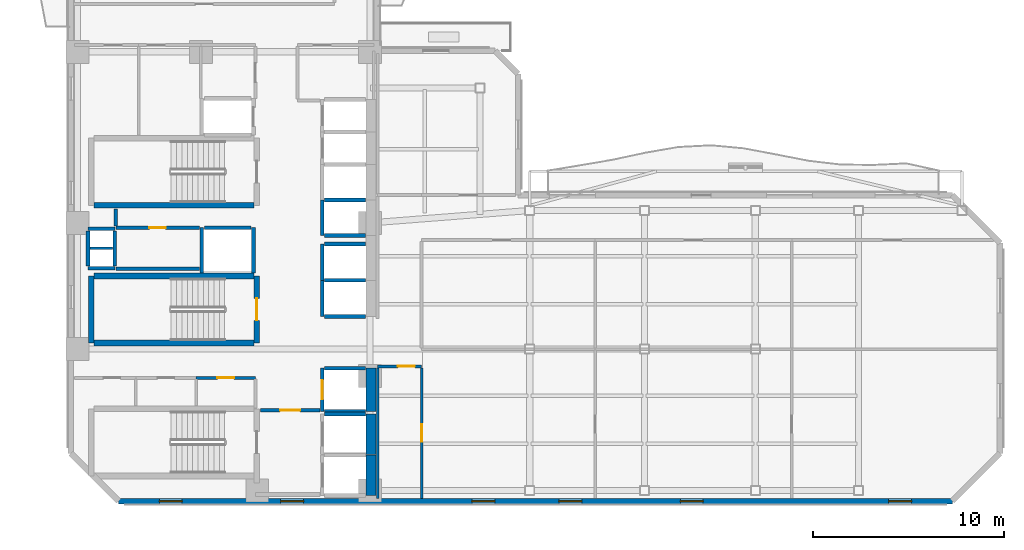
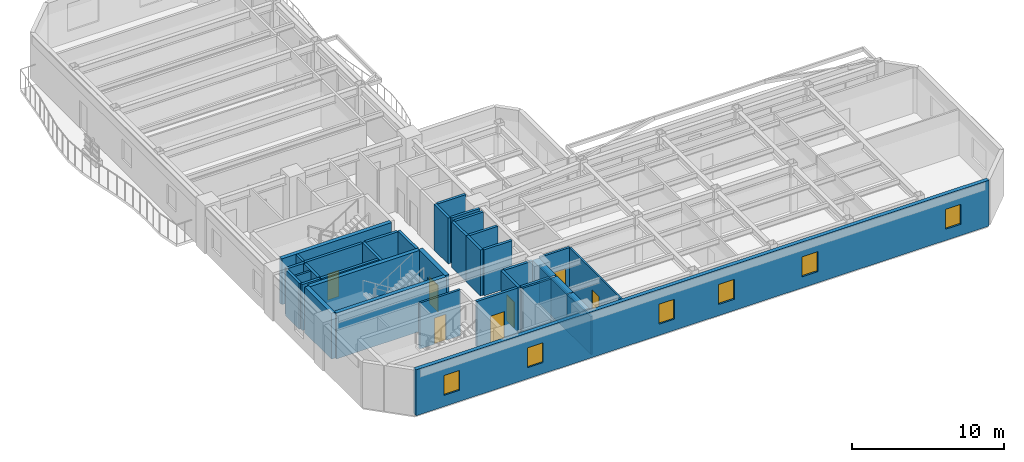
# One storey, part 3 of 12: 37 walls, 7 doors, 6 windows, 13 openings.
"""IFC4 building model written with IfcOpenShell, lengths in metres."""

import ifcopenshell
import ifcopenshell.guid

model = None  # the IFC model being written
_history = None  # IfcOwnerHistory: only IFC2X3 demands one
_inside = {}  # id of a spatial element -> (the spatial element, [elements in it])
_under = {}  # id of a project, library or spatial element -> (it, [spatial elements below it])
_declared = {}  # id of a project -> (the project, [libraries it declares])
_typed = {}  # id of a type object -> (the type object, [elements of that type])
_made_of = {}  # id of a material, layer set ... -> (it, [elements and type objects made of it])


def new_model(schema):
    """Start an empty IFC model of exactly this schema.

    Asked for "IFC4X3", IfcOpenShell would pick the latest addendum, in which some entities
    have other attributes; the version numbers below select the first issue.
    IFC2X3 requires an IfcOwnerHistory on every rooted entity: one is made here for all.
    """
    global model, _history
    if schema == "IFC4X3":
        model = ifcopenshell.file(schema_version=(4, 3, 0, 0))
    else:
        model = ifcopenshell.file(schema=schema)
    _inside.clear()
    _under.clear()
    _declared.clear()
    _typed.clear()
    _made_of.clear()
    _history = None
    if model.schema == "IFC2X3":
        org = make("IfcOrganization", Name="unknown")
        user = make(
            "IfcPersonAndOrganization",
            ThePerson=make("IfcPerson", FamilyName="unknown"),
            TheOrganization=org,
        )
        app = make(
            "IfcApplication",
            ApplicationDeveloper=org,
            Version="unknown",
            ApplicationFullName="unknown",
            ApplicationIdentifier="unknown",
        )
        _history = make(
            "IfcOwnerHistory",
            OwningUser=user,
            OwningApplication=app,
            ChangeAction="ADDED",
            CreationDate=0,
        )
    return model


def make(cls, **values):
    """One entity of the class cls with the attributes given. An attribute that is None is left unset."""
    return model.create_entity(
        cls, **{name: value for name, value in values.items() if value is not None}
    )


def rooted(cls, **values):
    """An entity with a GlobalId (a new one), such as an element, a storey or a relation."""
    return make(cls, GlobalId=ifcopenshell.guid.new(), OwnerHistory=_history, **values)


def si_unit(unit_type, name, prefix=None):
    """IfcSIUnit, for example si_unit("LENGTHUNIT", "METRE", prefix="MILLI")."""
    return make("IfcSIUnit", UnitType=unit_type, Prefix=prefix, Name=name)


def assignment(units):
    """IfcUnitAssignment: the units of a project."""
    return None if units is None else make("IfcUnitAssignment", Units=units)


def point(xyz):
    """IfcCartesianPoint."""
    return None if xyz is None else make("IfcCartesianPoint", Coordinates=xyz)


def direction(xyz):
    """IfcDirection."""
    return None if xyz is None else make("IfcDirection", DirectionRatios=xyz)


def frame(location, z_axis=None, x_axis=None):
    """IfcAxis2Placement3D, a coordinate frame: its origin and axes. An axis left out is left unset."""
    return make(
        "IfcAxis2Placement3D",
        Location=point(location),
        Axis=direction(z_axis),
        RefDirection=direction(x_axis),
    )


def frame_2d(location, x_axis=None):
    """IfcAxis2Placement2D, a coordinate frame in the plane: its origin and x axis."""
    return make(
        "IfcAxis2Placement2D", Location=point(location), RefDirection=direction(x_axis)
    )


def origin():
    """The frame at (0, 0, 0) with its axes left unset."""
    return frame((0.0, 0.0, 0.0))


def place(relative_to, where):
    """IfcLocalPlacement: puts the frame where relative to a parent placement (None: the world)."""
    return make(
        "IfcLocalPlacement", PlacementRelTo=relative_to, RelativePlacement=where
    )


def context(
    kind, dimensions, precision=None, world=None, true_north=None, identifier=None
):
    """IfcGeometricRepresentationContext, for example the 3D "Model" context."""
    return make(
        "IfcGeometricRepresentationContext",
        ContextIdentifier=identifier,
        ContextType=kind,
        CoordinateSpaceDimension=dimensions,
        Precision=precision,
        WorldCoordinateSystem=world,
        TrueNorth=true_north,
    )


def subcontext(parent, identifier, kind, view, scale=None):
    """IfcGeometricRepresentationSubContext, for example "Body" below "Model"."""
    return make(
        "IfcGeometricRepresentationSubContext",
        ContextIdentifier=identifier,
        ContextType=kind,
        ParentContext=parent,
        TargetScale=scale,
        TargetView=view,
    )


def project(units=None, contexts=None):
    """IfcProject with its units and contexts."""
    return rooted(
        "IfcProject",
        Name="project",
        RepresentationContexts=contexts,
        UnitsInContext=assignment(units),
    )


def spatial(cls, under=None, at=None, **own):
    """A site, building, storey or space (cls), placed at a placement, below another one or the project."""
    s = rooted(cls, ObjectPlacement=at, **own)
    if under is not None:
        _under.setdefault(under.id(), (under, []))[1].append(s)
    return s


def profile(cls, at=None, kind="AREA", **sizes):
    """A parametric profile (cls). Its sizes go by their IFC names, for example OverallWidth=200.0."""
    return make(cls, ProfileType=kind, Position=at, **sizes)


def rectangle(**sizes):
    """IfcRectangleProfileDef."""
    return profile("IfcRectangleProfileDef", **sizes)


def extrude(swept, where, along, depth):
    """IfcExtrudedAreaSolid: the profile swept, set in the frame where, extruded along a direction by depth."""
    return make(
        "IfcExtrudedAreaSolid",
        SweptArea=swept,
        Position=where,
        ExtrudedDirection=direction(along),
        Depth=depth,
    )


def shape(context_of_items, identifier, shape_type, items):
    """IfcShapeRepresentation: the items that make up one representation, for example the "Body"."""
    return make(
        "IfcShapeRepresentation",
        ContextOfItems=context_of_items,
        RepresentationIdentifier=identifier,
        RepresentationType=shape_type,
        Items=items,
    )


def material(Name=None, Category=None):
    """IfcMaterial."""
    return make("IfcMaterial", Name=Name, Category=Category)


def layer(
    of_material, thickness, ventilated=None, Name=None, Category=None, Priority=None
):
    """IfcMaterialLayer: one layer of a wall or slab, of a material (None: an air gap)."""
    return make(
        "IfcMaterialLayer",
        Material=of_material,
        LayerThickness=thickness,
        IsVentilated=ventilated,
        Name=Name,
        Category=Category,
        Priority=Priority,
    )


def layer_set(layers, Name=None):
    """IfcMaterialLayerSet."""
    return make("IfcMaterialLayerSet", MaterialLayers=layers, LayerSetName=Name)


def made_of(thing, what):
    """Note that an element or type object is made of a material, layer set ...; save() writes the relation."""
    if what is not None:
        _made_of.setdefault(what.id(), (what, []))[1].append(thing)
    return thing


def type_object(cls, material=None, **own):
    """A type object (cls), such as IfcWallType, which elements share."""
    return made_of(rooted(cls, **own), material)


def element(
    cls,
    number,
    at=None,
    inside=None,
    cuts=None,
    type_object=None,
    material=None,
    context=None,
    identifier="Body",
    shape_type=None,
    held_by="IfcProductDefinitionShape",
    body=None,
    shapes=None,
    **own,
):
    """One element of the class cls, such as IfcWall. Its Tag is "e" and its number.

    at: its placement. inside: the storey or other place that contains it. cuts: it is an
    opening in that element (IfcRelVoidsElement). A single representation is given by context,
    identifier, shape_type and body (its items); several are given by shapes. held_by: the class
    of the entity that holds the representations. save() writes the other relations.
    """
    e = rooted(cls, Tag="e%d" % number, ObjectPlacement=at, **own)
    if body is not None:
        shapes = [shape(context, identifier, shape_type, body)]
    if shapes is not None:
        e.Representation = make(held_by, Representations=shapes)
    if inside is not None:
        _inside.setdefault(inside.id(), (inside, []))[1].append(e)
    if cuts is not None:
        rooted(
            "IfcRelVoidsElement", RelatingBuildingElement=cuts, RelatedOpeningElement=e
        )
    if type_object is not None:
        _typed.setdefault(type_object.id(), (type_object, []))[1].append(e)
    return made_of(e, material)


def fill(opening, filler):
    """IfcRelFillsElement: the door or window that sits in an opening."""
    return rooted(
        "IfcRelFillsElement",
        RelatingOpeningElement=opening,
        RelatedBuildingElement=filler,
    )


def aggregate(whole, parts):
    """IfcRelAggregates: a whole, such as a stair, and the parts it consists of."""
    return rooted("IfcRelAggregates", RelatingObject=whole, RelatedObjects=parts)


def save(model, path):
    """Write the relations noted so far, then the file.

    IfcRelAggregates (storeys below a building ...), IfcRelContainedInSpatialStructure (elements
    in a storey), IfcRelDefinesByType, IfcRelAssociatesMaterial and IfcRelDeclares: one each for
    every whole, place, type object, material and project.
    """
    for whole, parts in _under.values():
        aggregate(whole, parts)
    for where, things in _inside.values():
        rooted(
            "IfcRelContainedInSpatialStructure",
            RelatedElements=things,
            RelatingStructure=where,
        )
    for kind, things in _typed.values():
        rooted("IfcRelDefinesByType", RelatedObjects=things, RelatingType=kind)
    for what, things in _made_of.values():
        rooted("IfcRelAssociatesMaterial", RelatedObjects=things, RelatingMaterial=what)
    for by, libraries in _declared.values():
        rooted("IfcRelDeclares", RelatingContext=by, RelatedDefinitions=libraries)
    model.write(path)


model = new_model("IFC4")

# Units and contexts
model_context = context("Model", 3, precision=1e-05, world=origin(), true_north=direction((0.0, 1.0)))
body_context = subcontext(model_context, "Body", "Model", "MODEL_VIEW")
ifc_project = project(units=[si_unit("LENGTHUNIT", "METRE"), si_unit("AREAUNIT", "SQUARE_METRE"), si_unit("VOLUMEUNIT", "CUBIC_METRE"), si_unit("PLANEANGLEUNIT", "RADIAN"), si_unit("MASSUNIT", "GRAM", prefix="KILO")], contexts=[model_context])

# Site, building, storey
site_placement = place(None, origin())
site = spatial("IfcSite", under=ifc_project, at=site_placement, CompositionType="ELEMENT")
building_placement = place(site_placement, origin())
building = spatial("IfcBuilding", under=site, at=building_placement, Name="Mawjaban Terraces University", CompositionType="ELEMENT")
storey_placement = place(building_placement, frame((0.0, 0.0, 150.199951171875)))
storey = spatial("IfcBuildingStorey", under=building, at=storey_placement, Name="L36", CompositionType="ELEMENT", Elevation=150.199951171875)

# Walls
ifc_material_1 = material(Name="Concrete C60/75", Category="concrete")
ifc_layer_1 = layer(ifc_material_1, 0.5)
ifc_layer_set_1 = layer_set([ifc_layer_1], Name="Concrete C60/75")
wall_type_1 = type_object("IfcWallType", Name="CoreShearWall_500", PredefinedType="SHEAR", material=ifc_layer_set_1)
wall_1_placement = place(storey_placement, frame((37.699951171875, 0.300048828125, 0.0), z_axis=(0.0, 0.0, 1.0), x_axis=(0.0, 1.0, 0.0)))
element("IfcWall", 1, at=wall_1_placement, inside=storey, type_object=wall_type_1, Name="L36 Lift FL-1 Hoistway Wall East", PredefinedType="SHEAR", context=body_context, shape_type="SweptSolid", body=[
    extrude(rectangle(XDim=2.099853515625, YDim=0.5, at=frame_2d((1.0498046875, 0.0))), origin(), (0.0, 0.0, 1.0), 3.68994140625),
])
wall_2_placement = place(storey_placement, frame((37.699951171875, 2.449951171875, 0.0), z_axis=(0.0, 0.0, 1.0), x_axis=(0.0, 1.0, 0.0)))
element("IfcWall", 2, at=wall_2_placement, inside=storey, type_object=wall_type_1, Name="L36 Lift FL-2 Hoistway Wall East", PredefinedType="SHEAR", context=body_context, shape_type="SweptSolid", body=[
    extrude(rectangle(XDim=2.10009765625, YDim=0.5, at=frame_2d((1.050048828125, 0.0))), origin(), (0.0, 0.0, 1.0), 3.68994140625),
])
wall_3_placement = place(storey_placement, frame((37.699951171875, 4.699951171875, 0.0), z_axis=(0.0, 0.0, 1.0), x_axis=(0.0, 1.0, 0.0)))
element("IfcWall", 3, at=wall_3_placement, inside=storey, type_object=wall_type_1, Name="L36 Lift SL-1 Hoistway Wall East", PredefinedType="SHEAR", context=body_context, shape_type="SweptSolid", body=[
    extrude(rectangle(XDim=2.25, YDim=0.5, at=frame_2d((1.125, 0.0))), origin(), (0.0, 0.0, 1.0), 3.68994140625),
])

# Wall, opening, door
ifc_material_2 = material(Name="Fire-rated gypsum board on steel stud", Category="steel")
ifc_layer_2 = layer(ifc_material_2, 0.159912109375)
ifc_layer_set_2 = layer_set([ifc_layer_2], Name="Fire-rated gypsum board on steel stud")
wall_type_2 = type_object("IfcWallType", Name="CorridorPartition_160", PredefinedType="PARTITIONING", material=ifc_layer_set_2)
wall_4_placement = place(storey_placement, frame((28.550048828125, 6.449951171875, 0.0), z_axis=(0.0, 0.0, 1.0), x_axis=(1.0, 0.0, 0.0)))
wall_4 = element("IfcWall", 4, at=wall_4_placement, inside=storey, type_object=wall_type_2, Name="L36 Core Washroom Lobby Partition 6", PredefinedType="PARTITIONING", context=body_context, shape_type="SweptSolid", body=[
    extrude(rectangle(XDim=3.099853515625, YDim=0.159912109375, at=frame_2d((1.5498046875, 0.0))), origin(), (0.0, 0.0, 1.0), 3.68994140625),
])
opening_1_placement = place(wall_4_placement, frame((1.110107421875, 0.0, 0.0)))
opening_1 = element("IfcOpeningElement", 5, at=opening_1_placement, cuts=wall_4, Name="Opening ID-088", PredefinedType="OPENING", context=body_context, shape_type="SweptSolid", body=[
    extrude(rectangle(XDim=0.8798828125, YDim=2.10009765625, at=frame_2d((0.43994140625, 1.050048828125))), frame((0.0, 0.08984375, 0.0), z_axis=(0.0, -1.0, 0.0), x_axis=(1.0, 0.0, 0.0)), (0.0, 0.0, 1.0), 0.179931640625),
])
ifc_material_3 = material(Name="Powder-coated steel frame and solid acoustic timber leaf", Category="steel")
door_type_1 = type_object("IfcDoorType", Name="ToiletDoor_880x2100", OperationType="NOTDEFINED", PredefinedType="DOOR", material=ifc_material_3)
door_1_placement = place(opening_1_placement, origin())
door_1 = element("IfcDoor", 6, at=door_1_placement, inside=storey, type_object=door_type_1, Name="L36 Accessible Toilet Door", OperationType="SINGLE_SWING_LEFT", OverallHeight=2.10009765625, OverallWidth=0.8798828125, PredefinedType="DOOR", context=body_context, shape_type="SweptSolid", body=[
    extrude(rectangle(XDim=0.8798828125, YDim=2.10009765625, at=frame_2d((0.43994140625, 1.050048828125))), frame((0.0, 0.02490234375, 0.0), z_axis=(0.0, -1.0, 0.0), x_axis=(1.0, 0.0, 0.0)), (0.0, 0.0, 1.0), 0.050048828125),
])
fill(opening_1, door_1)

wall_5_placement = place(storey_placement, frame((38.050048828125, 7.050048828125, 0.0), z_axis=(0.0, 0.0, 1.0), x_axis=(1.0, 0.0, 0.0)))
wall_5 = element("IfcWall", 7, at=wall_5_placement, inside=storey, type_object=wall_type_2, Name="L36 Inner Gallery Link Corridor Partition 17", PredefinedType="PARTITIONING", context=body_context, shape_type="SweptSolid", body=[
    extrude(rectangle(XDim=2.300048828125, YDim=0.159912109375, at=frame_2d((1.14990234375, 0.0))), origin(), (0.0, 0.0, 1.0), 3.68994140625),
])
opening_2_placement = place(wall_5_placement, frame((1.050048828125, 0.0, 0.0)))
opening_2 = element("IfcOpeningElement", 8, at=opening_2_placement, cuts=wall_5, Name="Opening ID-090", PredefinedType="OPENING", context=body_context, shape_type="SweptSolid", body=[
    extrude(rectangle(XDim=0.89990234375, YDim=2.10009765625, at=frame_2d((0.449951171875, 1.050048828125))), frame((0.0, 0.08984375, 0.0), z_axis=(0.0, -1.0, 0.0), x_axis=(1.0, 0.0, 0.0)), (0.0, 0.0, 1.0), 0.179931640625),
])
door_type_2 = type_object("IfcDoorType", Name="OfficeDoor_900x2100", OperationType="NOTDEFINED", PredefinedType="DOOR", material=ifc_material_3)
door_2_placement = place(opening_2_placement, origin())
door_2 = element("IfcDoor", 9, at=door_2_placement, inside=storey, type_object=door_type_2, Name="L36 Academic Counseling Room 1 Door", OperationType="SINGLE_SWING_LEFT", OverallHeight=2.10009765625, OverallWidth=0.89990234375, PredefinedType="DOOR", context=body_context, shape_type="SweptSolid", body=[
    extrude(rectangle(XDim=0.89990234375, YDim=2.10009765625, at=frame_2d((0.449951171875, 1.050048828125))), frame((0.0, 0.02490234375, 0.0), z_axis=(0.0, -1.0, 0.0), x_axis=(1.0, 0.0, 0.0)), (0.0, 0.0, 1.0), 0.050048828125),
])
fill(opening_2, door_2)

# Wall
wall_6_placement = place(storey_placement, frame((24.35009765625, 15.2900390625, 0.0), z_axis=(0.0, 0.0, 1.0), x_axis=(0.0, -1.0, 0.0)))
element("IfcWall", 10, at=wall_6_placement, inside=storey, type_object=wall_type_2, Name="L36 Core Riser Access Passage Partition 26", PredefinedType="PARTITIONING", context=body_context, shape_type="SweptSolid", body=[
    extrude(rectangle(XDim=0.89501953125, YDim=0.159912109375, at=frame_2d((0.447509765625, 0.0))), origin(), (0.0, 0.0, 1.0), 3.68994140625),
])

# Wall, openings, windows
ifc_material_4 = material(Name="Insulated terracotta rainscreen on concrete backup C40/50", Category="masonry")
ifc_layer_3 = layer(ifc_material_4, 0.300048828125)
ifc_layer_set_3 = layer_set([ifc_layer_3], Name="Insulated terracotta rainscreen on concrete backup C40/50")
wall_type_3 = type_object("IfcWallType", Name="ExtTerracottaWall_300", PredefinedType="SOLIDWALL", material=ifc_layer_set_3)
wall_7_placement = place(storey_placement, frame((24.5, 0.0, 0.0), z_axis=(0.0, 0.0, 1.0), x_axis=(1.0, 0.0, 0.0)))
wall_7 = element("IfcWall", 11, at=wall_7_placement, inside=storey, type_object=wall_type_3, Name="L36 Exterior Terracotta Wall 1", PredefinedType="SOLIDWALL", context=body_context, shape_type="SweptSolid", body=[
    extrude(rectangle(XDim=43.60009765625, YDim=0.300048828125, at=frame_2d((21.800048828125, 0.0))), origin(), (0.0, 0.0, 1.0), 3.68994140625),
])
opening_3_placement = place(wall_7_placement, frame((2.125, 0.0, 0.89990234375)))
opening_3 = element("IfcOpeningElement", 12, at=opening_3_placement, cuts=wall_7, Name="Opening W-01", PredefinedType="OPENING", context=body_context, shape_type="SweptSolid", body=[
    extrude(rectangle(XDim=1.199951171875, YDim=1.60009765625, at=frame_2d((0.60009765625, 0.800048828125))), frame((0.0, 0.159912109375, 0.0), z_axis=(0.0, -1.0, 0.0), x_axis=(1.0, 0.0, 0.0)), (0.0, 0.0, 1.0), 0.320068359375),
])
opening_4_placement = place(wall_7_placement, frame((8.47509765625, 0.0, 0.89990234375)))
opening_4 = element("IfcOpeningElement", 13, at=opening_4_placement, cuts=wall_7, Name="Opening W-01", PredefinedType="OPENING", context=body_context, shape_type="SweptSolid", body=[
    extrude(rectangle(XDim=1.199951171875, YDim=1.60009765625, at=frame_2d((0.60009765625, 0.800048828125))), frame((0.0, 0.159912109375, 0.0), z_axis=(0.0, -1.0, 0.0), x_axis=(1.0, 0.0, 0.0)), (0.0, 0.0, 1.0), 0.320068359375),
])
opening_5_placement = place(wall_7_placement, frame((18.47509765625, 0.0, 0.89990234375)))
opening_5 = element("IfcOpeningElement", 14, at=opening_5_placement, cuts=wall_7, Name="Opening W-01", PredefinedType="OPENING", context=body_context, shape_type="SweptSolid", body=[
    extrude(rectangle(XDim=1.199951171875, YDim=1.60009765625, at=frame_2d((0.60009765625, 0.800048828125))), frame((0.0, 0.159912109375, 0.0), z_axis=(0.0, -1.0, 0.0), x_axis=(1.0, 0.0, 0.0)), (0.0, 0.0, 1.0), 0.320068359375),
])
opening_6_placement = place(wall_7_placement, frame((23.02490234375, 0.0, 0.89990234375)))
opening_6 = element("IfcOpeningElement", 15, at=opening_6_placement, cuts=wall_7, Name="Opening W-01", PredefinedType="OPENING", context=body_context, shape_type="SweptSolid", body=[
    extrude(rectangle(XDim=1.199951171875, YDim=1.60009765625, at=frame_2d((0.60009765625, 0.800048828125))), frame((0.0, 0.159912109375, 0.0), z_axis=(0.0, -1.0, 0.0), x_axis=(1.0, 0.0, 0.0)), (0.0, 0.0, 1.0), 0.320068359375),
])
opening_7_placement = place(wall_7_placement, frame((29.375, 0.0, 0.89990234375)))
opening_7 = element("IfcOpeningElement", 16, at=opening_7_placement, cuts=wall_7, Name="Opening W-01", PredefinedType="OPENING", context=body_context, shape_type="SweptSolid", body=[
    extrude(rectangle(XDim=1.199951171875, YDim=1.60009765625, at=frame_2d((0.60009765625, 0.800048828125))), frame((0.0, 0.159912109375, 0.0), z_axis=(0.0, -1.0, 0.0), x_axis=(1.0, 0.0, 0.0)), (0.0, 0.0, 1.0), 0.320068359375),
])
opening_8_placement = place(wall_7_placement, frame((40.27490234375, 0.0, 0.89990234375)))
opening_8 = element("IfcOpeningElement", 17, at=opening_8_placement, cuts=wall_7, Name="Opening W-01", PredefinedType="OPENING", context=body_context, shape_type="SweptSolid", body=[
    extrude(rectangle(XDim=1.199951171875, YDim=1.60009765625, at=frame_2d((0.60009765625, 0.800048828125))), frame((0.0, 0.159912109375, 0.0), z_axis=(0.0, -1.0, 0.0), x_axis=(1.0, 0.0, 0.0)), (0.0, 0.0, 1.0), 0.320068359375),
])
ifc_material_5 = material(Name="Low-E solar-control double glazing in thermally broken aluminium frame", Category="aluminium")
window_type = type_object("IfcWindowType", Name="Win_1200x1600", PartitioningType="SINGLE_PANEL", PredefinedType="WINDOW", material=ifc_material_5)
window_1_placement = place(opening_3_placement, origin())
window_1 = element("IfcWindow", 18, at=window_1_placement, inside=storey, type_object=window_type, Name="L36 Facade Window 1.1", OverallHeight=1.60009765625, OverallWidth=1.199951171875, PartitioningType="SINGLE_PANEL", PredefinedType="WINDOW", context=body_context, shape_type="SweptSolid", body=[
    extrude(rectangle(XDim=1.199951171875, YDim=1.60009765625, at=frame_2d((0.60009765625, 0.800048828125))), frame((0.0, 0.030029296875, 0.0), z_axis=(0.0, -1.0, 0.0), x_axis=(1.0, 0.0, 0.0)), (0.0, 0.0, 1.0), 0.06005859375),
])
fill(opening_3, window_1)
window_2_placement = place(opening_4_placement, origin())
window_2 = element("IfcWindow", 19, at=window_2_placement, inside=storey, type_object=window_type, Name="L36 Facade Window 1.2", OverallHeight=1.60009765625, OverallWidth=1.199951171875, PartitioningType="SINGLE_PANEL", PredefinedType="WINDOW", context=body_context, shape_type="SweptSolid", body=[
    extrude(rectangle(XDim=1.199951171875, YDim=1.60009765625, at=frame_2d((0.60009765625, 0.800048828125))), frame((0.0, 0.030029296875, 0.0), z_axis=(0.0, -1.0, 0.0), x_axis=(1.0, 0.0, 0.0)), (0.0, 0.0, 1.0), 0.06005859375),
])
fill(opening_4, window_2)
window_3_placement = place(opening_5_placement, origin())
window_3 = element("IfcWindow", 20, at=window_3_placement, inside=storey, type_object=window_type, Name="L36 Facade Window 1.4", OverallHeight=1.60009765625, OverallWidth=1.199951171875, PartitioningType="SINGLE_PANEL", PredefinedType="WINDOW", context=body_context, shape_type="SweptSolid", body=[
    extrude(rectangle(XDim=1.199951171875, YDim=1.60009765625, at=frame_2d((0.60009765625, 0.800048828125))), frame((0.0, 0.030029296875, 0.0), z_axis=(0.0, -1.0, 0.0), x_axis=(1.0, 0.0, 0.0)), (0.0, 0.0, 1.0), 0.06005859375),
])
fill(opening_5, window_3)
window_4_placement = place(opening_6_placement, origin())
window_4 = element("IfcWindow", 21, at=window_4_placement, inside=storey, type_object=window_type, Name="L36 Facade Window 1.5", OverallHeight=1.60009765625, OverallWidth=1.199951171875, PartitioningType="SINGLE_PANEL", PredefinedType="WINDOW", context=body_context, shape_type="SweptSolid", body=[
    extrude(rectangle(XDim=1.199951171875, YDim=1.60009765625, at=frame_2d((0.60009765625, 0.800048828125))), frame((0.0, 0.030029296875, 0.0), z_axis=(0.0, -1.0, 0.0), x_axis=(1.0, 0.0, 0.0)), (0.0, 0.0, 1.0), 0.06005859375),
])
fill(opening_6, window_4)
window_5_placement = place(opening_7_placement, origin())
window_5 = element("IfcWindow", 22, at=window_5_placement, inside=storey, type_object=window_type, Name="L36 Facade Window 1.6", OverallHeight=1.60009765625, OverallWidth=1.199951171875, PartitioningType="SINGLE_PANEL", PredefinedType="WINDOW", context=body_context, shape_type="SweptSolid", body=[
    extrude(rectangle(XDim=1.199951171875, YDim=1.60009765625, at=frame_2d((0.60009765625, 0.800048828125))), frame((0.0, 0.030029296875, 0.0), z_axis=(0.0, -1.0, 0.0), x_axis=(1.0, 0.0, 0.0)), (0.0, 0.0, 1.0), 0.06005859375),
])
fill(opening_7, window_5)
window_6_placement = place(opening_8_placement, origin())
window_6 = element("IfcWindow", 23, at=window_6_placement, inside=storey, type_object=window_type, Name="L36 Facade Window 1.8", OverallHeight=1.60009765625, OverallWidth=1.199951171875, PartitioningType="SINGLE_PANEL", PredefinedType="WINDOW", context=body_context, shape_type="SweptSolid", body=[
    extrude(rectangle(XDim=1.199951171875, YDim=1.60009765625, at=frame_2d((0.60009765625, 0.800048828125))), frame((0.0, 0.030029296875, 0.0), z_axis=(0.0, -1.0, 0.0), x_axis=(1.0, 0.0, 0.0)), (0.0, 0.0, 1.0), 0.06005859375),
])
fill(opening_8, window_6)

# Wall
ifc_material_6 = material(Name="Concrete C40/50", Category="concrete")
ifc_layer_4 = layer(ifc_material_6, 0.199951171875)
ifc_layer_set_4 = layer_set([ifc_layer_4], Name="Concrete C40/50")
wall_type_4 = type_object("IfcWallType", Name="FireLobbyWall_200", PredefinedType="SOLIDWALL", material=ifc_layer_set_4)
wall_8_placement = place(storey_placement, frame((37.419921875, 4.550048828125, 0.0), z_axis=(0.0, 0.0, 1.0), x_axis=(-1.0, 0.0, 0.0)))
element("IfcWall", 24, at=wall_8_placement, inside=storey, type_object=wall_type_4, Name="L36 Lift FL-2 Hoistway Wall North", PredefinedType="SOLIDWALL", context=body_context, shape_type="SweptSolid", body=[
    extrude(rectangle(XDim=2.139892578125, YDim=0.199951171875, at=frame_2d((1.06982421875, 0.0))), origin(), (0.0, 0.0, 1.0), 3.68994140625),
])

# Wall, opening, door
wall_9_placement = place(storey_placement, frame((35.14990234375, 6.949951171875, 0.0), z_axis=(0.0, 0.0, 1.0), x_axis=(0.0, -1.0, 0.0)))
wall_9 = element("IfcWall", 25, at=wall_9_placement, inside=storey, type_object=wall_type_4, Name="L36 Lift SL-1 Hoistway Wall West", PredefinedType="SOLIDWALL", context=body_context, shape_type="SweptSolid", body=[
    extrude(rectangle(XDim=2.25, YDim=0.199951171875, at=frame_2d((1.125, 0.0))), origin(), (0.0, 0.0, 1.0), 3.68994140625),
])
opening_9_placement = place(wall_9_placement, frame((0.625, 0.0, 0.0)))
opening_9 = element("IfcOpeningElement", 26, at=opening_9_placement, cuts=wall_9, Name="Opening LD-SL-1", PredefinedType="OPENING", context=body_context, shape_type="SweptSolid", body=[
    extrude(rectangle(XDim=1.0, YDim=2.10009765625, at=frame_2d((0.5, 1.050048828125))), frame((0.0, 0.10986328125, 0.0), z_axis=(0.0, -1.0, 0.0), x_axis=(1.0, 0.0, 0.0)), (0.0, 0.0, 1.0), 0.219970703125),
])
ifc_material_7 = material(Name="Powder-coated steel frame and fire-rated steel-faced leaf", Category="steel")
door_type_3 = type_object("IfcDoorType", Name="LiftLandingSliding_1000x2100", OperationType="NOTDEFINED", PredefinedType="DOOR", material=ifc_material_7)
door_3_placement = place(opening_9_placement, origin())
door_3 = element("IfcDoor", 27, at=door_3_placement, inside=storey, type_object=door_type_3, Name="L36 Lift SL-1 Sliding Landing Door", OperationType="DOUBLE_DOOR_SLIDING", OverallHeight=2.10009765625, OverallWidth=1.0, PredefinedType="DOOR", context=body_context, shape_type="SweptSolid", body=[
    extrude(rectangle(XDim=1.0, YDim=2.10009765625, at=frame_2d((0.5, 1.050048828125))), frame((0.0, 0.02490234375, 0.0), z_axis=(0.0, -1.0, 0.0), x_axis=(1.0, 0.0, 0.0)), (0.0, 0.0, 1.0), 0.050048828125),
])
fill(opening_9, door_3)

# Walls
for number, where, z_axis, x_axis, name in (
    (28, (35.280029296875, 4.699951171875, 0.0), (0.0, 0.0, 1.0), (1.0, 0.0, 0.0), "L36 Lift SL-1 Hoistway Wall South"),
    (29, (37.419921875, 6.949951171875, 0.0), (0.0, 0.0, 1.0), (-1.0, 0.0, 0.0), "L36 Lift SL-1 Hoistway Wall North"),
):
    element("IfcWall", number, at=place(storey_placement, frame(where, z_axis=z_axis, x_axis=x_axis)), inside=storey, type_object=wall_type_4, Name=name, PredefinedType="SOLIDWALL", context=body_context, shape_type="SweptSolid", body=[
        extrude(rectangle(XDim=2.139892578125, YDim=0.199951171875, at=frame_2d((1.06982421875, 0.0))), origin(), (0.0, 0.0, 1.0), 3.68994140625),
    ])
wall_10_placement = place(storey_placement, frame((35.14990234375, 11.550048828125, 0.0), z_axis=(0.0, 0.0, 1.0), x_axis=(0.0, -1.0, 0.0)))
element("IfcWall", 30, at=wall_10_placement, inside=storey, type_object=wall_type_4, Name="L36 Lift PL-H1 Hoistway Wall West", PredefinedType="SOLIDWALL", context=body_context, shape_type="SweptSolid", body=[
    extrude(rectangle(XDim=1.900146484375, YDim=0.199951171875, at=frame_2d((0.9501953125, 0.0))), origin(), (0.0, 0.0, 1.0), 3.68994140625),
])
for number, where, z_axis, x_axis, name in (
    (31, (35.280029296875, 9.64990234375, 0.0), (0.0, 0.0, 1.0), (1.0, 0.0, 0.0), "L36 Lift PL-H1 Hoistway Wall South"),
    (32, (37.419921875, 11.550048828125, 0.0), (0.0, 0.0, 1.0), (-1.0, 0.0, 0.0), "L36 Lift PL-H1 Hoistway Wall North"),
):
    element("IfcWall", number, at=place(storey_placement, frame(where, z_axis=z_axis, x_axis=x_axis)), inside=storey, type_object=wall_type_4, Name=name, PredefinedType="SOLIDWALL", context=body_context, shape_type="SweptSolid", body=[
        extrude(rectangle(XDim=2.139892578125, YDim=0.199951171875, at=frame_2d((1.06982421875, 0.0))), origin(), (0.0, 0.0, 1.0), 3.68994140625),
    ])
wall_11_placement = place(storey_placement, frame((35.14990234375, 13.449951171875, 0.0), z_axis=(0.0, 0.0, 1.0), x_axis=(0.0, -1.0, 0.0)))
element("IfcWall", 33, at=wall_11_placement, inside=storey, type_object=wall_type_4, Name="L36 Lift PL-H2 Hoistway Wall West", PredefinedType="SOLIDWALL", context=body_context, shape_type="SweptSolid", body=[
    extrude(rectangle(XDim=1.89990234375, YDim=0.199951171875, at=frame_2d((0.949951171875, 0.0))), origin(), (0.0, 0.0, 1.0), 3.68994140625),
])
wall_12_placement = place(storey_placement, frame((37.419921875, 13.449951171875, 0.0), z_axis=(0.0, 0.0, 1.0), x_axis=(-1.0, 0.0, 0.0)))
element("IfcWall", 34, at=wall_12_placement, inside=storey, type_object=wall_type_4, Name="L36 Lift PL-H2 Hoistway Wall North", PredefinedType="SOLIDWALL", context=body_context, shape_type="SweptSolid", body=[
    extrude(rectangle(XDim=2.139892578125, YDim=0.199951171875, at=frame_2d((1.06982421875, 0.0))), origin(), (0.0, 0.0, 1.0), 3.68994140625),
])
for number, where, z_axis, x_axis, name in (
    (35, (28.85009765625, 14.300048828125, 0.0), (0.0, 0.0, 1.0), (0.0, -1.0, 0.0), "L36 Lift PL-H3 Hoistway Wall West"),
    (36, (31.550048828125, 11.929931640625, 0.0), (0.0, 0.0, 1.0), (0.0, 1.0, 0.0), "L36 Lift PL-H3 Hoistway Wall East"),
):
    element("IfcWall", number, at=place(storey_placement, frame(where, z_axis=z_axis, x_axis=x_axis)), inside=storey, type_object=wall_type_4, Name=name, PredefinedType="SOLIDWALL", context=body_context, shape_type="SweptSolid", body=[
        extrude(rectangle(XDim=2.3701171875, YDim=0.199951171875, at=frame_2d((1.18505859375, 0.0))), origin(), (0.0, 0.0, 1.0), 3.68994140625),
    ])
wall_13_placement = place(storey_placement, frame((31.419921875, 14.300048828125, 0.0), z_axis=(0.0, 0.0, 1.0), x_axis=(-1.0, 0.0, 0.0)))
element("IfcWall", 37, at=wall_13_placement, inside=storey, type_object=wall_type_4, Name="L36 Lift PL-H3 Hoistway Wall North", PredefinedType="SOLIDWALL", context=body_context, shape_type="SweptSolid", body=[
    extrude(rectangle(XDim=2.43994140625, YDim=0.199951171875, at=frame_2d((1.219970703125, 0.0))), origin(), (0.0, 0.0, 1.0), 3.68994140625),
])
wall_14_placement = place(storey_placement, frame((35.14990234375, 15.75, 0.0), z_axis=(0.0, 0.0, 1.0), x_axis=(0.0, -1.0, 0.0)))
element("IfcWall", 38, at=wall_14_placement, inside=storey, type_object=wall_type_4, Name="L36 Lift OL-1 Hoistway Wall West", PredefinedType="SOLIDWALL", context=body_context, shape_type="SweptSolid", body=[
    extrude(rectangle(XDim=1.85009765625, YDim=0.199951171875, at=frame_2d((0.925048828125, 0.0))), origin(), (0.0, 0.0, 1.0), 3.68994140625),
])
for number, where, z_axis, x_axis, name in (
    (39, (35.280029296875, 13.89990234375, 0.0), (0.0, 0.0, 1.0), (1.0, 0.0, 0.0), "L36 Lift OL-1 Hoistway Wall South"),
    (40, (37.419921875, 15.75, 0.0), (0.0, 0.0, 1.0), (-1.0, 0.0, 0.0), "L36 Lift OL-1 Hoistway Wall North"),
):
    element("IfcWall", number, at=place(storey_placement, frame(where, z_axis=z_axis, x_axis=x_axis)), inside=storey, type_object=wall_type_4, Name=name, PredefinedType="SOLIDWALL", context=body_context, shape_type="SweptSolid", body=[
        extrude(rectangle(XDim=2.139892578125, YDim=0.199951171875, at=frame_2d((1.06982421875, 0.0))), origin(), (0.0, 0.0, 1.0), 3.68994140625),
    ])
for number, where, z_axis, x_axis, name in (
    (41, (22.89990234375, 14.25, 0.0), (0.0, 0.0, 1.0), (1.0, 0.0, 0.0), "L36 MEP Riser Shaft Wall N"),
    (42, (22.89990234375, 12.179931640625, 0.0), (0.0, 0.0, 1.0), (1.0, 0.0, 0.0), "L36 MEP Riser Shaft Wall S"),
):
    element("IfcWall", number, at=place(storey_placement, frame(where, z_axis=z_axis, x_axis=x_axis)), inside=storey, type_object=wall_type_4, Name=name, PredefinedType="SOLIDWALL", context=body_context, shape_type="SweptSolid", body=[
        extrude(rectangle(XDim=1.400146484375, YDim=0.199951171875, at=frame_2d((0.7001953125, 0.0))), origin(), (0.0, 0.0, 1.0), 3.68994140625),
    ])
for number, where, z_axis, x_axis, name in (
    (43, (24.300048828125, 12.300048828125, 0.0), (0.0, 0.0, 1.0), (0.0, 1.0, 0.0), "L36 MEP Riser Shaft Wall E"),
    (44, (22.89990234375, 12.300048828125, 0.0), (0.0, 0.0, 1.0), (0.0, 1.0, 0.0), "L36 MEP Riser Shaft Wall W"),
):
    element("IfcWall", number, at=place(storey_placement, frame(where, z_axis=z_axis, x_axis=x_axis)), inside=storey, type_object=wall_type_4, Name=name, PredefinedType="SOLIDWALL", context=body_context, shape_type="SweptSolid", body=[
        extrude(rectangle(XDim=1.829833984375, YDim=0.199951171875, at=frame_2d((0.9150390625, 0.0))), origin(), (0.0, 0.0, 1.0), 3.68994140625),
    ])
wall_15_placement = place(storey_placement, frame((24.35009765625, 12.14990234375, 0.0), z_axis=(0.0, 0.0, 1.0), x_axis=(1.0, 0.0, 0.0)))
element("IfcWall", 45, at=wall_15_placement, inside=storey, type_object=wall_type_4, Name="L36 IT and Telecoms Riser Room Partition 2", PredefinedType="SOLIDWALL", context=body_context, shape_type="SweptSolid", body=[
    extrude(rectangle(XDim=4.369873046875, YDim=0.199951171875, at=frame_2d((2.18505859375, 0.0))), origin(), (0.0, 0.0, 1.0), 3.68994140625),
])

# Wall, opening, door
wall_16_placement = place(storey_placement, frame((24.35009765625, 14.300048828125, 0.0), z_axis=(0.0, 0.0, 1.0), x_axis=(1.0, 0.0, 0.0)))
wall_16 = element("IfcWall", 46, at=wall_16_placement, inside=storey, type_object=wall_type_4, Name="L36 Core Riser Access Passage Partition 3", PredefinedType="SOLIDWALL", context=body_context, shape_type="SweptSolid", body=[
    extrude(rectangle(XDim=4.369873046875, YDim=0.199951171875, at=frame_2d((2.18505859375, 0.0))), origin(), (0.0, 0.0, 1.0), 3.68994140625),
])
opening_10_placement = place(wall_16_placement, frame((1.760009765625, 0.0, 0.0)))
opening_10 = element("IfcOpeningElement", 47, at=opening_10_placement, cuts=wall_16, Name="Opening FD-085", PredefinedType="OPENING", context=body_context, shape_type="SweptSolid", body=[
    extrude(rectangle(XDim=0.85009765625, YDim=2.10009765625, at=frame_2d((0.425048828125, 1.050048828125))), frame((0.0, 0.10986328125, 0.0), z_axis=(0.0, -1.0, 0.0), x_axis=(1.0, 0.0, 0.0)), (0.0, 0.0, 1.0), 0.219970703125),
])
door_type_4 = type_object("IfcDoorType", Name="FireRiserDoor_850x2100", OperationType="NOTDEFINED", PredefinedType="DOOR", material=ifc_material_7)
door_4_placement = place(opening_10_placement, origin())
door_4 = element("IfcDoor", 48, at=door_4_placement, inside=storey, type_object=door_type_4, Name="L36 IT and Telecoms Riser Room Door", OperationType="SINGLE_SWING_RIGHT", OverallHeight=2.10009765625, OverallWidth=0.85009765625, PredefinedType="DOOR", context=body_context, shape_type="SweptSolid", body=[
    extrude(rectangle(XDim=0.85009765625, YDim=2.10009765625, at=frame_2d((0.425048828125, 1.050048828125))), frame((0.0, 0.02490234375, 0.0), z_axis=(0.0, -1.0, 0.0), x_axis=(1.0, 0.0, 0.0)), (0.0, 0.0, 1.0), 0.050048828125),
])
fill(opening_10, door_4)

wall_17_placement = place(storey_placement, frame((35.02001953125, 4.75, 0.0), z_axis=(0.0, 0.0, 1.0), x_axis=(-1.0, 0.0, 0.0)))
wall_17 = element("IfcWall", 49, at=wall_17_placement, inside=storey, type_object=wall_type_4, Name="L36 Firefighting Lift Lobby Partition 10", PredefinedType="SOLIDWALL", context=body_context, shape_type="SweptSolid", body=[
    extrude(rectangle(XDim=3.110107421875, YDim=0.199951171875, at=frame_2d((1.55517578125, 0.0))), origin(), (0.0, 0.0, 1.0), 3.68994140625),
])
opening_11_placement = place(wall_17_placement, frame((1.030029296875, 0.0, 0.0)))
opening_11 = element("IfcOpeningElement", 50, at=opening_11_placement, cuts=wall_17, Name="Opening FD-105", PredefinedType="OPENING", context=body_context, shape_type="SweptSolid", body=[
    extrude(rectangle(XDim=1.050048828125, YDim=2.14990234375, at=frame_2d((0.52490234375, 1.074951171875))), frame((0.0, 0.10986328125, 0.0), z_axis=(0.0, -1.0, 0.0), x_axis=(1.0, 0.0, 0.0)), (0.0, 0.0, 1.0), 0.219970703125),
])
door_type_5 = type_object("IfcDoorType", Name="FireLobbyDoor_1050x2150", OperationType="NOTDEFINED", PredefinedType="DOOR", material=ifc_material_7)
door_5_placement = place(opening_11_placement, origin())
door_5 = element("IfcDoor", 51, at=door_5_placement, inside=storey, type_object=door_type_5, Name="L36 Firefighting Lift Lobby Door", OperationType="SINGLE_SWING_RIGHT", OverallHeight=2.14990234375, OverallWidth=1.050048828125, PredefinedType="DOOR", context=body_context, shape_type="SweptSolid", body=[
    extrude(rectangle(XDim=1.050048828125, YDim=2.14990234375, at=frame_2d((0.52490234375, 1.074951171875))), frame((0.0, 0.02490234375, 0.0), z_axis=(0.0, -1.0, 0.0), x_axis=(1.0, 0.0, 0.0)), (0.0, 0.0, 1.0), 0.050048828125),
])
fill(opening_11, door_5)

# Walls
ifc_material_8 = material(Name="Moisture-resistant gypsum board on steel stud", Category="steel")
ifc_layer_5 = layer(ifc_material_8, 0.14501953125)
ifc_layer_set_5 = layer_set([ifc_layer_5], Name="Moisture-resistant gypsum board on steel stud")
wall_type_5 = type_object("IfcWallType", Name="LabPartition_145", PredefinedType="PARTITIONING", material=ifc_layer_set_5)
wall_18_placement = place(storey_placement, frame((23.010009765625, 13.22509765625, 0.0), z_axis=(0.0, 0.0, 1.0), x_axis=(1.0, 0.0, 0.0)))
element("IfcWall", 52, at=wall_18_placement, inside=storey, type_object=wall_type_5, Name="L36 MEP Riser Shaft Wall M", PredefinedType="PARTITIONING", context=body_context, shape_type="SweptSolid", body=[
    extrude(rectangle(XDim=1.179931640625, YDim=0.14501953125, at=frame_2d((0.58984375, 0.0))), origin(), (0.0, 0.0, 1.0), 3.68994140625),
])
ifc_material_9 = material(Name="Gypsum plasterboard on steel stud", Category="steel")
ifc_layer_6 = layer(ifc_material_9, 0.125)
ifc_layer_set_6 = layer_set([ifc_layer_6], Name="Gypsum plasterboard on steel stud")
wall_type_6 = type_object("IfcWallType", Name="OfficePartition_125", PredefinedType="PARTITIONING", material=ifc_layer_set_6)
wall_19_placement = place(storey_placement, frame((38.050048828125, 6.97509765625, 0.0), z_axis=(0.0, 0.0, 1.0), x_axis=(0.0, -1.0, 0.0)))
element("IfcWall", 53, at=wall_19_placement, inside=storey, type_object=wall_type_6, Name="L36 Academic Counseling Room 1 Partition 39", PredefinedType="PARTITIONING", context=body_context, shape_type="SweptSolid", body=[
    extrude(rectangle(XDim=6.830078125, YDim=0.125, at=frame_2d((3.4150390625, 0.0))), origin(), (0.0, 0.0, 1.0), 3.073974609375),
])

# Wall, opening, door
wall_20_placement = place(storey_placement, frame((40.35009765625, 0.14501953125, 0.0), z_axis=(0.0, 0.0, 1.0), x_axis=(0.0, 1.0, 0.0)))
wall_20 = element("IfcWall", 54, at=wall_20_placement, inside=storey, type_object=wall_type_6, Name="L36 Academic Counseling Room 1 Partition 42", PredefinedType="PARTITIONING", context=body_context, shape_type="SweptSolid", body=[
    extrude(rectangle(XDim=6.830078125, YDim=0.125, at=frame_2d((3.4150390625, 0.0))), origin(), (0.0, 0.0, 1.0), 3.68994140625),
])
opening_12_placement = place(wall_20_placement, frame((2.965087890625, 0.0, 0.0)))
opening_12 = element("IfcOpeningElement", 55, at=opening_12_placement, cuts=wall_20, Name="Opening ID-090", PredefinedType="OPENING", context=body_context, shape_type="SweptSolid", body=[
    extrude(rectangle(XDim=0.89990234375, YDim=2.10009765625, at=frame_2d((0.449951171875, 1.050048828125))), frame((0.0, 0.072509765625, 0.0), z_axis=(0.0, -1.0, 0.0), x_axis=(1.0, 0.0, 0.0)), (0.0, 0.0, 1.0), 0.14501953125),
])
door_6_placement = place(opening_12_placement, origin())
door_6 = element("IfcDoor", 56, at=door_6_placement, inside=storey, type_object=door_type_2, Name="L36 Academic Counseling Room 2 Door", OperationType="SINGLE_SWING_RIGHT", OverallHeight=2.10009765625, OverallWidth=0.89990234375, PredefinedType="DOOR", context=body_context, shape_type="SweptSolid", body=[
    extrude(rectangle(XDim=0.89990234375, YDim=2.10009765625, at=frame_2d((0.449951171875, 1.050048828125))), frame((0.0, 0.02490234375, 0.0), z_axis=(0.0, -1.0, 0.0), x_axis=(1.0, 0.0, 0.0)), (0.0, 0.0, 1.0), 0.050048828125),
])
fill(opening_12, door_6)

# Walls
ifc_layer_7 = layer(ifc_material_1, 0.300048828125)
ifc_layer_set_7 = layer_set([ifc_layer_7], Name="Concrete C60/75")
wall_type_7 = type_object("IfcWallType", Name="StairShaftWall_300", PredefinedType="SHEAR", material=ifc_layer_set_7)
for number, where, z_axis, x_axis, name in (
    (57, (23.219970703125, 15.469970703125, 0.0), (0.0, 0.0, 1.0), (1.0, 0.0, 0.0), "L36 ST-2 Stair Shaft Wall 3"),
    (58, (31.580078125, 11.780029296875, 0.0), (0.0, 0.0, 1.0), (-1.0, 0.0, 0.0), "L36 ST-3 Stair Shaft Wall 1"),
):
    element("IfcWall", number, at=place(storey_placement, frame(where, z_axis=z_axis, x_axis=x_axis)), inside=storey, type_object=wall_type_7, Name=name, PredefinedType="SHEAR", context=body_context, shape_type="SweptSolid", body=[
        extrude(rectangle(XDim=8.360107421875, YDim=0.300048828125, at=frame_2d((4.18017578125, 0.0))), origin(), (0.0, 0.0, 1.0), 3.68994140625),
    ])
wall_21_placement = place(storey_placement, frame((23.070068359375, 11.780029296875, 0.0), z_axis=(0.0, 0.0, 1.0), x_axis=(0.0, -1.0, 0.0)))
element("IfcWall", 59, at=wall_21_placement, inside=storey, type_object=wall_type_7, Name="L36 ST-3 Stair Shaft Wall 2", PredefinedType="SHEAR", context=body_context, shape_type="SweptSolid", body=[
    extrude(rectangle(XDim=3.510009765625, YDim=0.300048828125, at=frame_2d((1.7548828125, 0.0))), origin(), (0.0, 0.0, 1.0), 3.68994140625),
])
wall_22_placement = place(storey_placement, frame((23.219970703125, 8.27001953125, 0.0), z_axis=(0.0, 0.0, 1.0), x_axis=(1.0, 0.0, 0.0)))
element("IfcWall", 60, at=wall_22_placement, inside=storey, type_object=wall_type_7, Name="L36 ST-3 Stair Shaft Wall 3", PredefinedType="SHEAR", context=body_context, shape_type="SweptSolid", body=[
    extrude(rectangle(XDim=8.360107421875, YDim=0.300048828125, at=frame_2d((4.18017578125, 0.0))), origin(), (0.0, 0.0, 1.0), 3.68994140625),
])

# Wall, opening, door
wall_23_placement = place(storey_placement, frame((31.72998046875, 8.27001953125, 0.0), z_axis=(0.0, 0.0, 1.0), x_axis=(0.0, 1.0, 0.0)))
wall_23 = element("IfcWall", 61, at=wall_23_placement, inside=storey, type_object=wall_type_7, Name="L36 ST-3 Stair Shaft Wall 4", PredefinedType="SHEAR", context=body_context, shape_type="SweptSolid", body=[
    extrude(rectangle(XDim=3.510009765625, YDim=0.300048828125, at=frame_2d((1.7548828125, 0.0))), origin(), (0.0, 0.0, 1.0), 3.68994140625),
])
opening_13_placement = place(wall_23_placement, frame((1.179931640625, 0.0, 0.0)))
opening_13 = element("IfcOpeningElement", 62, at=opening_13_placement, cuts=wall_23, Name="Opening FD-115", PredefinedType="OPENING", context=body_context, shape_type="SweptSolid", body=[
    extrude(rectangle(XDim=1.14990234375, YDim=2.14990234375, at=frame_2d((0.574951171875, 1.074951171875))), frame((0.0, 0.159912109375, 0.0), z_axis=(0.0, -1.0, 0.0), x_axis=(1.0, 0.0, 0.0)), (0.0, 0.0, 1.0), 0.320068359375),
])
door_type_6 = type_object("IfcDoorType", Name="FireStairDoor_1150x2150", OperationType="NOTDEFINED", PredefinedType="DOOR", material=ifc_material_7)
door_7_placement = place(opening_13_placement, origin())
door_7 = element("IfcDoor", 63, at=door_7_placement, inside=storey, type_object=door_type_6, Name="L36 ST-3 Pressurised Stair Fire Door", OperationType="SINGLE_SWING_LEFT", OverallHeight=2.14990234375, OverallWidth=1.14990234375, PredefinedType="DOOR", context=body_context, shape_type="SweptSolid", body=[
    extrude(rectangle(XDim=1.14990234375, YDim=2.14990234375, at=frame_2d((0.574951171875, 1.074951171875))), frame((0.0, 0.02490234375, 0.0), z_axis=(0.0, -1.0, 0.0), x_axis=(1.0, 0.0, 0.0)), (0.0, 0.0, 1.0), 0.050048828125),
])
fill(opening_13, door_7)

save(model, "model.ifc")
